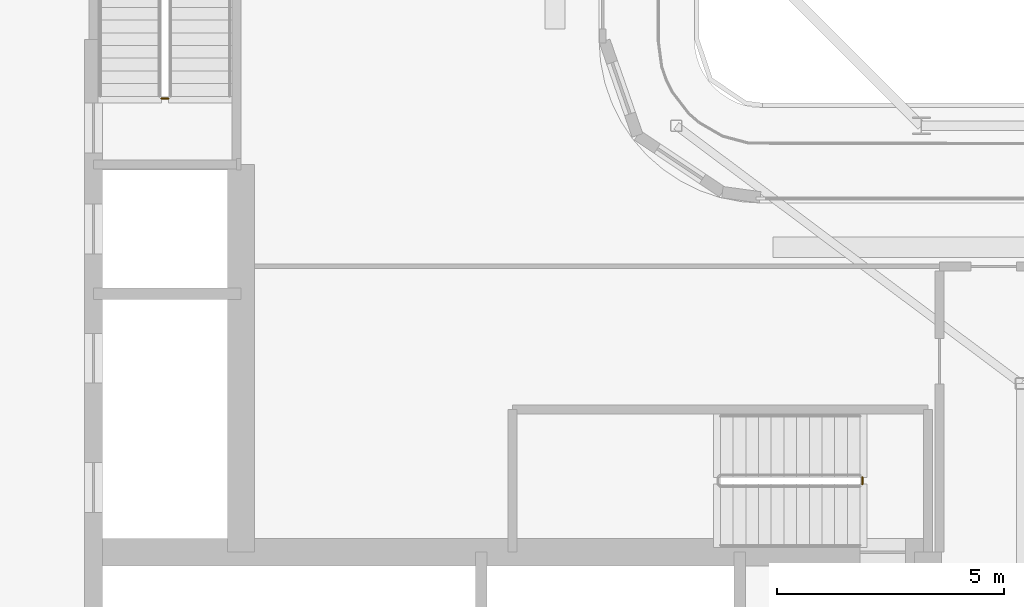
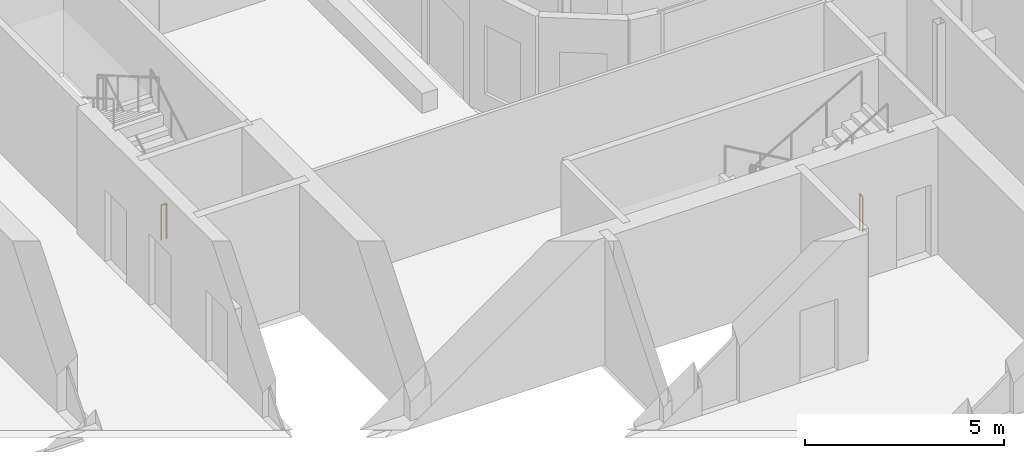
# One storey, part 17 of 21: 2 railings.
"""IFC4 building model written with IfcOpenShell, lengths in metres."""

import ifcopenshell
import ifcopenshell.guid

model = None  # the IFC model being written
_history = None  # IfcOwnerHistory: only IFC2X3 demands one
_inside = {}  # id of a spatial element -> (the spatial element, [elements in it])
_under = {}  # id of a project, library or spatial element -> (it, [spatial elements below it])
_declared = {}  # id of a project -> (the project, [libraries it declares])
_typed = {}  # id of a type object -> (the type object, [elements of that type])
_made_of = {}  # id of a material, layer set ... -> (it, [elements and type objects made of it])


def new_model(schema):
    """Start an empty IFC model of exactly this schema.

    Asked for "IFC4X3", IfcOpenShell would pick the latest addendum, in which some entities
    have other attributes; the version numbers below select the first issue.
    IFC2X3 requires an IfcOwnerHistory on every rooted entity: one is made here for all.
    """
    global model, _history
    if schema == "IFC4X3":
        model = ifcopenshell.file(schema_version=(4, 3, 0, 0))
    else:
        model = ifcopenshell.file(schema=schema)
    _inside.clear()
    _under.clear()
    _declared.clear()
    _typed.clear()
    _made_of.clear()
    _history = None
    if model.schema == "IFC2X3":
        org = make("IfcOrganization", Name="unknown")
        user = make(
            "IfcPersonAndOrganization",
            ThePerson=make("IfcPerson", FamilyName="unknown"),
            TheOrganization=org,
        )
        app = make(
            "IfcApplication",
            ApplicationDeveloper=org,
            Version="unknown",
            ApplicationFullName="unknown",
            ApplicationIdentifier="unknown",
        )
        _history = make(
            "IfcOwnerHistory",
            OwningUser=user,
            OwningApplication=app,
            ChangeAction="ADDED",
            CreationDate=0,
        )
    return model


def make(cls, **values):
    """One entity of the class cls with the attributes given. An attribute that is None is left unset."""
    return model.create_entity(
        cls, **{name: value for name, value in values.items() if value is not None}
    )


def rooted(cls, **values):
    """An entity with a GlobalId (a new one), such as an element, a storey or a relation."""
    return make(cls, GlobalId=ifcopenshell.guid.new(), OwnerHistory=_history, **values)


def si_unit(unit_type, name, prefix=None):
    """IfcSIUnit, for example si_unit("LENGTHUNIT", "METRE", prefix="MILLI")."""
    return make("IfcSIUnit", UnitType=unit_type, Prefix=prefix, Name=name)


def assignment(units):
    """IfcUnitAssignment: the units of a project."""
    return None if units is None else make("IfcUnitAssignment", Units=units)


def point(xyz):
    """IfcCartesianPoint."""
    return None if xyz is None else make("IfcCartesianPoint", Coordinates=xyz)


def direction(xyz):
    """IfcDirection."""
    return None if xyz is None else make("IfcDirection", DirectionRatios=xyz)


def frame(location, z_axis=None, x_axis=None):
    """IfcAxis2Placement3D, a coordinate frame: its origin and axes. An axis left out is left unset."""
    return make(
        "IfcAxis2Placement3D",
        Location=point(location),
        Axis=direction(z_axis),
        RefDirection=direction(x_axis),
    )


def frame_2d(location, x_axis=None):
    """IfcAxis2Placement2D, a coordinate frame in the plane: its origin and x axis."""
    return make(
        "IfcAxis2Placement2D", Location=point(location), RefDirection=direction(x_axis)
    )


def origin():
    """The frame at (0, 0, 0) with its axes left unset."""
    return frame((0.0, 0.0, 0.0))


def origin_2d():
    """The frame at (0, 0) in the plane with its x axis left unset."""
    return frame_2d((0.0, 0.0))


def place(relative_to, where):
    """IfcLocalPlacement: puts the frame where relative to a parent placement (None: the world)."""
    return make(
        "IfcLocalPlacement", PlacementRelTo=relative_to, RelativePlacement=where
    )


def context(
    kind, dimensions, precision=None, world=None, true_north=None, identifier=None
):
    """IfcGeometricRepresentationContext, for example the 3D "Model" context."""
    return make(
        "IfcGeometricRepresentationContext",
        ContextIdentifier=identifier,
        ContextType=kind,
        CoordinateSpaceDimension=dimensions,
        Precision=precision,
        WorldCoordinateSystem=world,
        TrueNorth=true_north,
    )


def subcontext(parent, identifier, kind, view, scale=None):
    """IfcGeometricRepresentationSubContext, for example "Body" below "Model"."""
    return make(
        "IfcGeometricRepresentationSubContext",
        ContextIdentifier=identifier,
        ContextType=kind,
        ParentContext=parent,
        TargetScale=scale,
        TargetView=view,
    )


def project(units=None, contexts=None):
    """IfcProject with its units and contexts."""
    return rooted(
        "IfcProject",
        Name="project",
        RepresentationContexts=contexts,
        UnitsInContext=assignment(units),
    )


def spatial(cls, under=None, at=None, **own):
    """A site, building, storey or space (cls), placed at a placement, below another one or the project."""
    s = rooted(cls, ObjectPlacement=at, **own)
    if under is not None:
        _under.setdefault(under.id(), (under, []))[1].append(s)
    return s


def profile(cls, at=None, kind="AREA", **sizes):
    """A parametric profile (cls). Its sizes go by their IFC names, for example OverallWidth=200.0."""
    return make(cls, ProfileType=kind, Position=at, **sizes)


def circle(**sizes):
    """IfcCircleProfileDef."""
    return profile("IfcCircleProfileDef", **sizes)


def extrude(swept, where, along, depth):
    """IfcExtrudedAreaSolid: the profile swept, set in the frame where, extruded along a direction by depth."""
    return make(
        "IfcExtrudedAreaSolid",
        SweptArea=swept,
        Position=where,
        ExtrudedDirection=direction(along),
        Depth=depth,
    )


def shape(context_of_items, identifier, shape_type, items):
    """IfcShapeRepresentation: the items that make up one representation, for example the "Body"."""
    return make(
        "IfcShapeRepresentation",
        ContextOfItems=context_of_items,
        RepresentationIdentifier=identifier,
        RepresentationType=shape_type,
        Items=items,
    )


def material(Name=None, Category=None):
    """IfcMaterial."""
    return make("IfcMaterial", Name=Name, Category=Category)


def made_of(thing, what):
    """Note that an element or type object is made of a material, layer set ...; save() writes the relation."""
    if what is not None:
        _made_of.setdefault(what.id(), (what, []))[1].append(thing)
    return thing


def type_object(cls, material=None, **own):
    """A type object (cls), such as IfcWallType, which elements share."""
    return made_of(rooted(cls, **own), material)


def element(
    cls,
    number,
    at=None,
    inside=None,
    cuts=None,
    type_object=None,
    material=None,
    context=None,
    identifier="Body",
    shape_type=None,
    held_by="IfcProductDefinitionShape",
    body=None,
    shapes=None,
    **own,
):
    """One element of the class cls, such as IfcWall. Its Tag is "e" and its number.

    at: its placement. inside: the storey or other place that contains it. cuts: it is an
    opening in that element (IfcRelVoidsElement). A single representation is given by context,
    identifier, shape_type and body (its items); several are given by shapes. held_by: the class
    of the entity that holds the representations. save() writes the other relations.
    """
    e = rooted(cls, Tag="e%d" % number, ObjectPlacement=at, **own)
    if body is not None:
        shapes = [shape(context, identifier, shape_type, body)]
    if shapes is not None:
        e.Representation = make(held_by, Representations=shapes)
    if inside is not None:
        _inside.setdefault(inside.id(), (inside, []))[1].append(e)
    if cuts is not None:
        rooted(
            "IfcRelVoidsElement", RelatingBuildingElement=cuts, RelatedOpeningElement=e
        )
    if type_object is not None:
        _typed.setdefault(type_object.id(), (type_object, []))[1].append(e)
    return made_of(e, material)


def aggregate(whole, parts):
    """IfcRelAggregates: a whole, such as a stair, and the parts it consists of."""
    return rooted("IfcRelAggregates", RelatingObject=whole, RelatedObjects=parts)


def save(model, path):
    """Write the relations noted so far, then the file.

    IfcRelAggregates (storeys below a building ...), IfcRelContainedInSpatialStructure (elements
    in a storey), IfcRelDefinesByType, IfcRelAssociatesMaterial and IfcRelDeclares: one each for
    every whole, place, type object, material and project.
    """
    for whole, parts in _under.values():
        aggregate(whole, parts)
    for where, things in _inside.values():
        rooted(
            "IfcRelContainedInSpatialStructure",
            RelatedElements=things,
            RelatingStructure=where,
        )
    for kind, things in _typed.values():
        rooted("IfcRelDefinesByType", RelatedObjects=things, RelatingType=kind)
    for what, things in _made_of.values():
        rooted("IfcRelAssociatesMaterial", RelatedObjects=things, RelatingMaterial=what)
    for by, libraries in _declared.values():
        rooted("IfcRelDeclares", RelatingContext=by, RelatedDefinitions=libraries)
    model.write(path)


model = new_model("IFC4")

# Units and contexts
model_context = context("Model", 3, precision=1e-05, world=origin(), true_north=direction((0.0, 1.0)))
body_context = subcontext(model_context, "Body", "Model", "MODEL_VIEW")
ifc_project = project(units=[si_unit("LENGTHUNIT", "METRE"), si_unit("AREAUNIT", "SQUARE_METRE"), si_unit("VOLUMEUNIT", "CUBIC_METRE"), si_unit("PLANEANGLEUNIT", "RADIAN"), si_unit("MASSUNIT", "GRAM", prefix="KILO")], contexts=[model_context])

# Site, building, storey
site_placement = place(None, origin())
site = spatial("IfcSite", under=ifc_project, at=site_placement, CompositionType="ELEMENT")
building_placement = place(site_placement, origin())
building = spatial("IfcBuilding", under=site, at=building_placement, Name="Kheshtan School and Residences Tower", CompositionType="ELEMENT")
storey_placement = place(building_placement, frame((0.0, 0.0, 305.89990234375)))
storey = spatial("IfcBuildingStorey", under=building, at=storey_placement, Name="L72", CompositionType="ELEMENT", Elevation=305.89990234375)

# Railings
ifc_material = material(Name="Stainless steel balustrade", Category="steel")
railing_type = type_object("IfcRailingType", Name="Stair guard 1100", PredefinedType="GUARDRAIL", material=ifc_material)
railing_1_placement = place(storey_placement, frame((51.699951171875, 37.85009765625, 0.0)))
element("IfcRailing", 1, at=railing_1_placement, inside=storey, type_object=railing_type, Name="L72 ST1 stair guard 2", PredefinedType="GUARDRAIL", context=body_context, shape_type="SweptSolid", body=[
    extrude(circle(Radius=0.02392578125, at=origin_2d()), frame((0.0, 0.0, 1.076171875), z_axis=(0.0, -1.0, 0.0), x_axis=(1.0, 0.0, 0.0)), (0.0, 0.0, 1.0), 0.150146484375),
    extrude(circle(Radius=0.02099609375, at=origin_2d()), origin(), (0.0, 0.0, 1.0), 1.052001953125),
    extrude(circle(Radius=0.02099609375, at=origin_2d()), frame((0.0, -0.150146484375, 0.0)), (0.0, 0.0, 1.0), 1.052001953125),
])
railing_2_placement = place(storey_placement, frame((36.39990234375, 46.199951171875, 0.0)))
element("IfcRailing", 2, at=railing_2_placement, inside=storey, type_object=railing_type, Name="L72 ST2 stair guard 2", PredefinedType="GUARDRAIL", context=body_context, shape_type="SweptSolid", body=[
    extrude(circle(Radius=0.02392578125, at=origin_2d()), frame((0.0, 0.0, 1.076171875), z_axis=(-1.0, 0.0, 0.0), x_axis=(0.0, -1.0, 0.0)), (0.0, 0.0, 1.0), 0.14990234375),
    extrude(circle(Radius=0.02099609375, at=origin_2d()), origin(), (0.0, 0.0, 1.0), 1.052001953125),
    extrude(circle(Radius=0.02099609375, at=origin_2d()), frame((-0.14990234375, 0.0, 0.0)), (0.0, 0.0, 1.0), 1.052001953125),
])

save(model, "model.ifc")
